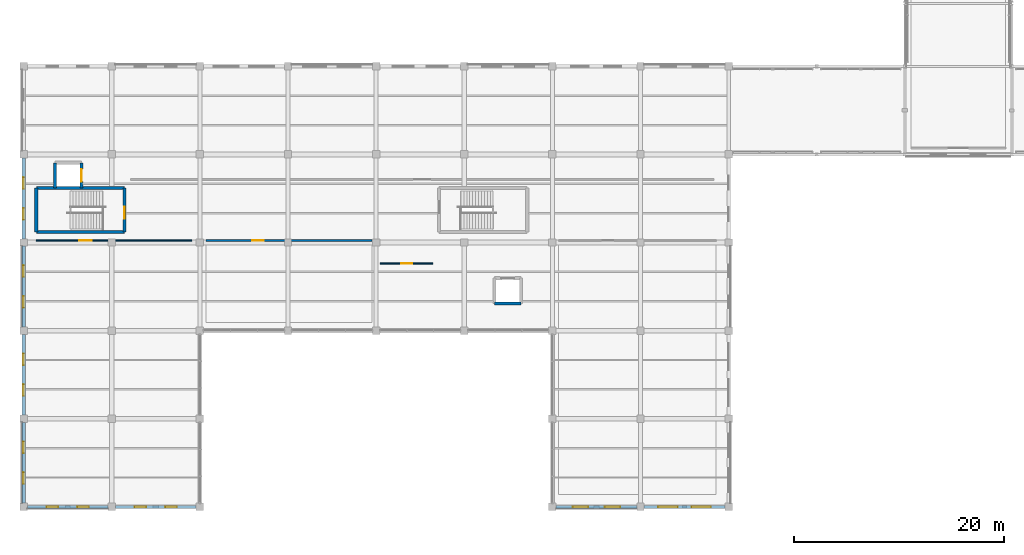
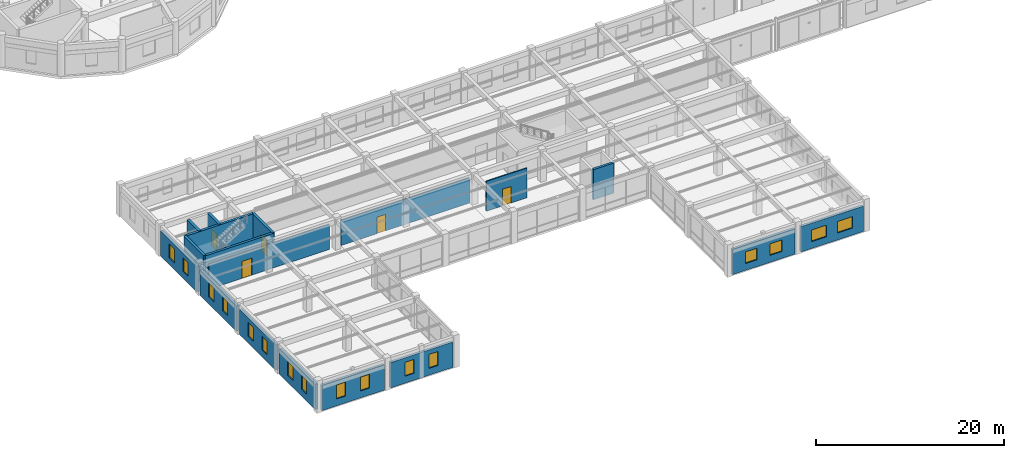
# One storey, part 118 of 152: 18 walls, 16 windows, 5 doors, 21 openings.
"""IFC4 building model written with IfcOpenShell, lengths in metres."""

from ifc_helpers import new_model, si_unit, direction, frame, frame_2d, origin, place, context, subcontext, project, spatial, rectangle, extrude, material, layer, layer_set, type_object, element, fill, save


model = new_model("IFC4")

# Units and contexts
model_context = context("Model", 3, precision=1e-05, world=origin(), true_north=direction((0.0, 1.0)))
body_context = subcontext(model_context, "Body", "Model", "MODEL_VIEW")
ifc_project = project(units=[si_unit("LENGTHUNIT", "METRE"), si_unit("AREAUNIT", "SQUARE_METRE"), si_unit("VOLUMEUNIT", "CUBIC_METRE"), si_unit("PLANEANGLEUNIT", "RADIAN"), si_unit("MASSUNIT", "GRAM", prefix="KILO"), si_unit("THERMODYNAMICTEMPERATUREUNIT", "KELVIN"), si_unit("POWERUNIT", "WATT")], contexts=[model_context])

# Site, building, storey
site_placement = place(None, origin())
site = spatial("IfcSite", under=ifc_project, at=site_placement, CompositionType="ELEMENT")
building_placement = place(site_placement, origin())
building = spatial("IfcBuilding", under=site, at=building_placement, Name="Darbajah Civic Hall", CompositionType="ELEMENT")
storey_placement = place(building_placement, frame((0.0, 0.0, 5.39990234375)))
storey = spatial("IfcBuildingStorey", under=building, at=storey_placement, Name="L01", CompositionType="ELEMENT", Elevation=5.39990234375)

# Wall
ifc_material_1 = material(Name="Concrete C45/55", Category="concrete")
ifc_layer_1 = layer(ifc_material_1, 0.300048828125, Name="Concrete C45/55")
ifc_layer_set_1 = layer_set([ifc_layer_1], Name="Concrete C45/55")
wall_type_1 = type_object("IfcWallType", Name="Core Shear Wall 300mm", PredefinedType="SHEAR", material=ifc_layer_set_1)
wall_1_placement = place(storey_placement, frame((1.199951171875, 26.199951171875, 0.0), z_axis=(0.0, 0.0, 1.0), x_axis=(1.0, 0.0, 0.0)))
element("IfcWall", 1, at=wall_1_placement, inside=storey, type_object=wall_type_1, Name="L01 core C10 shear wall S", PredefinedType="SHEAR", context=body_context, shape_type="SweptSolid", body=[
    extrude(rectangle(XDim=8.400146484375, YDim=0.300048828125, at=frame_2d((4.2001953125, 0.0))), origin(), (0.0, 0.0, 1.0), 3.920166015625),
])

# Wall, opening, door
wall_2_placement = place(storey_placement, frame((9.60009765625, 26.199951171875, 0.0), z_axis=(0.0, 0.0, 1.0), x_axis=(0.0, 1.0, 0.0)))
wall_2 = element("IfcWall", 2, at=wall_2_placement, inside=storey, type_object=wall_type_1, Name="L01 core C10 shear wall E", PredefinedType="SHEAR", context=body_context, shape_type="SweptSolid", body=[
    extrude(rectangle(XDim=4.199951171875, YDim=0.300048828125, at=frame_2d((2.10009765625, 0.0))), origin(), (0.0, 0.0, 1.0), 3.920166015625),
])
opening_1_placement = place(wall_2_placement, frame((1.25, 0.0, 0.0)))
opening_1 = element("IfcOpeningElement", 3, at=opening_1_placement, cuts=wall_2, Name="Opening SD-0110", PredefinedType="OPENING", context=body_context, shape_type="SweptSolid", body=[
    extrude(rectangle(XDim=1.14990234375, YDim=2.199951171875, at=frame_2d((0.574951171875, 1.10009765625))), frame((0.0, 0.159912109375, 0.0), z_axis=(0.0, -1.0, 0.0), x_axis=(1.0, 0.0, 0.0)), (0.0, 0.0, 1.0), 0.320068359375),
])
ifc_material_2 = material(Name="Steel Rated Core Door", Category="steel")
door_type_1 = type_object("IfcDoorType", Name="Interior Door 1150x2200", OperationType="NOTDEFINED", PredefinedType="DOOR", material=ifc_material_2)
door_1_placement = place(opening_1_placement, origin())
door_1 = element("IfcDoor", 4, at=door_1_placement, inside=storey, type_object=door_type_1, Name="L01 stair ST10 fire door SD-0110", OperationType="SINGLE_SWING_LEFT", OverallHeight=2.199951171875, OverallWidth=1.14990234375, PredefinedType="DOOR", context=body_context, shape_type="SweptSolid", body=[
    extrude(rectangle(XDim=1.14990234375, YDim=2.199951171875, at=frame_2d((0.574951171875, 1.10009765625))), frame((0.0, 0.02490234375, 0.0), z_axis=(0.0, -1.0, 0.0), x_axis=(1.0, 0.0, 0.0)), (0.0, 0.0, 1.0), 0.050048828125),
])
fill(opening_1, door_1)

# Walls
wall_3_placement = place(storey_placement, frame((9.60009765625, 30.39990234375, 0.0), z_axis=(0.0, 0.0, 1.0), x_axis=(-1.0, 0.0, 0.0)))
element("IfcWall", 5, at=wall_3_placement, inside=storey, type_object=wall_type_1, Name="L01 core C10 shear wall N", PredefinedType="SHEAR", context=body_context, shape_type="SweptSolid", body=[
    extrude(rectangle(XDim=8.400146484375, YDim=0.300048828125, at=frame_2d((4.2001953125, 0.0))), origin(), (0.0, 0.0, 1.0), 3.920166015625),
])
wall_4_placement = place(storey_placement, frame((1.199951171875, 30.39990234375, 0.0), z_axis=(0.0, 0.0, 1.0), x_axis=(0.0, -1.0, 0.0)))
element("IfcWall", 6, at=wall_4_placement, inside=storey, type_object=wall_type_1, Name="L01 core C10 shear wall W", PredefinedType="SHEAR", context=body_context, shape_type="SweptSolid", body=[
    extrude(rectangle(XDim=4.199951171875, YDim=0.300048828125, at=frame_2d((2.10009765625, 0.0))), origin(), (0.0, 0.0, 1.0), 3.920166015625),
])
wall_5_placement = place(storey_placement, frame((3.0, 32.800048828125, 0.0), z_axis=(0.0, 0.0, 1.0), x_axis=(0.0, -1.0, 0.0)))
element("IfcWall", 7, at=wall_5_placement, inside=storey, type_object=wall_type_1, Name="L01 lift PL5 shaft wall W", PredefinedType="SHEAR", context=body_context, shape_type="SweptSolid", body=[
    extrude(rectangle(XDim=2.400146484375, YDim=0.300048828125, at=frame_2d((1.2001953125, 0.0))), origin(), (0.0, 0.0, 1.0), 3.920166015625),
])

# Wall, opening, door
wall_6_placement = place(storey_placement, frame((5.5, 30.39990234375, 0.0), z_axis=(0.0, 0.0, 1.0), x_axis=(0.0, 1.0, 0.0)))
wall_6 = element("IfcWall", 8, at=wall_6_placement, inside=storey, type_object=wall_type_1, Name="L01 lift PL5 shaft wall E", PredefinedType="SHEAR", context=body_context, shape_type="SweptSolid", body=[
    extrude(rectangle(XDim=2.400146484375, YDim=0.300048828125, at=frame_2d((1.2001953125, 0.0))), origin(), (0.0, 0.0, 1.0), 3.920166015625),
])
opening_2_placement = place(wall_6_placement, frame((0.60009765625, 0.0, 0.0)))
opening_2 = element("IfcOpeningElement", 9, at=opening_2_placement, cuts=wall_6, Name="Opening LD-0116", PredefinedType="OPENING", context=body_context, shape_type="SweptSolid", body=[
    extrude(rectangle(XDim=1.199951171875, YDim=2.25, at=frame_2d((0.60009765625, 1.125))), frame((0.0, 0.159912109375, 0.0), z_axis=(0.0, -1.0, 0.0), x_axis=(1.0, 0.0, 0.0)), (0.0, 0.0, 1.0), 0.320068359375),
])
ifc_material_3 = material(Name="Stainless Lift Landing Door")
door_type_2 = type_object("IfcDoorType", Name="Lift Landing Door 1200x2250", OperationType="SLIDING_TO_LEFT", PredefinedType="DOOR", material=ifc_material_3)
door_2_placement = place(opening_2_placement, origin())
door_2 = element("IfcDoor", 10, at=door_2_placement, inside=storey, type_object=door_type_2, Name="L01 lift PL5 landing door LD-0116", OperationType="SLIDING_TO_LEFT", OverallHeight=2.25, OverallWidth=1.199951171875, PredefinedType="DOOR", context=body_context, shape_type="SweptSolid", body=[
    extrude(rectangle(XDim=1.199951171875, YDim=2.25, at=frame_2d((0.60009765625, 1.125))), frame((0.0, 0.02490234375, 0.0), z_axis=(0.0, -1.0, 0.0), x_axis=(1.0, 0.0, 0.0)), (0.0, 0.0, 1.0), 0.050048828125),
])
fill(opening_2, door_2)

# Wall
wall_7_placement = place(storey_placement, frame((44.89990234375, 19.39990234375, 0.0), z_axis=(0.0, 0.0, 1.0), x_axis=(1.0, 0.0, 0.0)))
element("IfcWall", 11, at=wall_7_placement, inside=storey, type_object=wall_type_1, Name="L01 lift PL6 shaft wall S", PredefinedType="SHEAR", context=body_context, shape_type="SweptSolid", body=[
    extrude(rectangle(XDim=2.5, YDim=0.300048828125, at=frame_2d((1.25, 0.0))), origin(), (0.0, 0.0, 1.0), 3.920166015625),
])

# Wall, openings, windows
ifc_material_4 = material(Name="Red Dholpur Sandstone Cladding", Category="masonry")
ifc_layer_2 = layer(ifc_material_4, 0.31005859375, Name="Red Dholpur Sandstone Cladding")
ifc_layer_set_2 = layer_set([ifc_layer_2], Name="Red Dholpur Sandstone Cladding")
wall_type_2 = type_object("IfcWallType", Name="Exterior Wall 310mm", PredefinedType="SOLIDWALL", material=ifc_layer_set_2)
wall_8_placement = place(storey_placement, frame((0.35205078125, 0.0, 0.0), z_axis=(0.0, 0.0, 1.0), x_axis=(1.0, 0.0, 0.0)))
wall_8 = element("IfcWall", 12, at=wall_8_placement, inside=storey, type_object=wall_type_2, Name="L01 exterior wall EW-310", PredefinedType="SOLIDWALL", context=body_context, shape_type="SweptSolid", body=[
    extrude(rectangle(XDim=7.696044921875, YDim=0.31005859375, at=frame_2d((3.84814453125, 0.0))), origin(), (0.0, 0.0, 1.0), 3.2900390625),
])
opening_3_placement = place(wall_8_placement, frame((1.83203125, 0.0, 0.89990234375)))
opening_3 = element("IfcOpeningElement", 13, at=opening_3_placement, cuts=wall_8, Name="Opening WN-17", PredefinedType="OPENING", context=body_context, shape_type="SweptSolid", body=[
    extrude(rectangle(XDim=1.10009765625, YDim=1.800048828125, at=frame_2d((0.550048828125, 0.89990234375))), frame((0.0, 0.1650390625, 0.0), z_axis=(0.0, -1.0, 0.0), x_axis=(1.0, 0.0, 0.0)), (0.0, 0.0, 1.0), 0.330078125),
])
opening_4_placement = place(wall_8_placement, frame((4.763916015625, 0.0, 0.89990234375)))
opening_4 = element("IfcOpeningElement", 14, at=opening_4_placement, cuts=wall_8, Name="Opening WN-17", PredefinedType="OPENING", context=body_context, shape_type="SweptSolid", body=[
    extrude(rectangle(XDim=1.10009765625, YDim=1.800048828125, at=frame_2d((0.550048828125, 0.89990234375))), frame((0.0, 0.1650390625, 0.0), z_axis=(0.0, -1.0, 0.0), x_axis=(1.0, 0.0, 0.0)), (0.0, 0.0, 1.0), 0.330078125),
])
ifc_material_5 = material(Name="Low-E Solar Control Double Glazing", Category="glass")
window_type_1 = type_object("IfcWindowType", Name="Facade Window 1100x1800", PartitioningType="SINGLE_PANEL", PredefinedType="WINDOW", material=ifc_material_5)
window_1_placement = place(opening_3_placement, origin())
window_1 = element("IfcWindow", 15, at=window_1_placement, inside=storey, type_object=window_type_1, Name="L01 facade window WN-17", OverallHeight=1.800048828125, OverallWidth=1.10009765625, PartitioningType="SINGLE_PANEL", PredefinedType="WINDOW", context=body_context, shape_type="SweptSolid", body=[
    extrude(rectangle(XDim=1.10009765625, YDim=1.800048828125, at=frame_2d((0.550048828125, 0.89990234375))), frame((0.0, 0.030029296875, 0.0), z_axis=(0.0, -1.0, 0.0), x_axis=(1.0, 0.0, 0.0)), (0.0, 0.0, 1.0), 0.06005859375),
])
fill(opening_3, window_1)
window_2_placement = place(opening_4_placement, origin())
window_2 = element("IfcWindow", 16, at=window_2_placement, inside=storey, type_object=window_type_1, Name="L01 facade window WN-17", OverallHeight=1.800048828125, OverallWidth=1.10009765625, PartitioningType="SINGLE_PANEL", PredefinedType="WINDOW", context=body_context, shape_type="SweptSolid", body=[
    extrude(rectangle(XDim=1.10009765625, YDim=1.800048828125, at=frame_2d((0.550048828125, 0.89990234375))), frame((0.0, 0.030029296875, 0.0), z_axis=(0.0, -1.0, 0.0), x_axis=(1.0, 0.0, 0.0)), (0.0, 0.0, 1.0), 0.06005859375),
])
fill(opening_4, window_2)

wall_9_placement = place(storey_placement, frame((8.751953125, 0.0, 0.0), z_axis=(0.0, 0.0, 1.0), x_axis=(1.0, 0.0, 0.0)))
wall_9 = element("IfcWall", 17, at=wall_9_placement, inside=storey, type_object=wall_type_2, Name="L01 exterior wall EW-310", PredefinedType="SOLIDWALL", context=body_context, shape_type="SweptSolid", body=[
    extrude(rectangle(XDim=7.696044921875, YDim=0.31005859375, at=frame_2d((3.84814453125, 0.0))), origin(), (0.0, 0.0, 1.0), 3.2900390625),
])
opening_5_placement = place(wall_9_placement, frame((1.83203125, 0.0, 0.89990234375)))
opening_5 = element("IfcOpeningElement", 18, at=opening_5_placement, cuts=wall_9, Name="Opening WN-17", PredefinedType="OPENING", context=body_context, shape_type="SweptSolid", body=[
    extrude(rectangle(XDim=1.10009765625, YDim=1.800048828125, at=frame_2d((0.550048828125, 0.89990234375))), frame((0.0, 0.1650390625, 0.0), z_axis=(0.0, -1.0, 0.0), x_axis=(1.0, 0.0, 0.0)), (0.0, 0.0, 1.0), 0.330078125),
])
opening_6_placement = place(wall_9_placement, frame((4.763916015625, 0.0, 0.89990234375)))
opening_6 = element("IfcOpeningElement", 19, at=opening_6_placement, cuts=wall_9, Name="Opening WN-17", PredefinedType="OPENING", context=body_context, shape_type="SweptSolid", body=[
    extrude(rectangle(XDim=1.10009765625, YDim=1.800048828125, at=frame_2d((0.550048828125, 0.89990234375))), frame((0.0, 0.1650390625, 0.0), z_axis=(0.0, -1.0, 0.0), x_axis=(1.0, 0.0, 0.0)), (0.0, 0.0, 1.0), 0.330078125),
])
window_3_placement = place(opening_5_placement, origin())
window_3 = element("IfcWindow", 20, at=window_3_placement, inside=storey, type_object=window_type_1, Name="L01 facade window WN-17", OverallHeight=1.800048828125, OverallWidth=1.10009765625, PartitioningType="SINGLE_PANEL", PredefinedType="WINDOW", context=body_context, shape_type="SweptSolid", body=[
    extrude(rectangle(XDim=1.10009765625, YDim=1.800048828125, at=frame_2d((0.550048828125, 0.89990234375))), frame((0.0, 0.030029296875, 0.0), z_axis=(0.0, -1.0, 0.0), x_axis=(1.0, 0.0, 0.0)), (0.0, 0.0, 1.0), 0.06005859375),
])
fill(opening_5, window_3)
window_4_placement = place(opening_6_placement, origin())
window_4 = element("IfcWindow", 21, at=window_4_placement, inside=storey, type_object=window_type_1, Name="L01 facade window WN-17", OverallHeight=1.800048828125, OverallWidth=1.10009765625, PartitioningType="SINGLE_PANEL", PredefinedType="WINDOW", context=body_context, shape_type="SweptSolid", body=[
    extrude(rectangle(XDim=1.10009765625, YDim=1.800048828125, at=frame_2d((0.550048828125, 0.89990234375))), frame((0.0, 0.030029296875, 0.0), z_axis=(0.0, -1.0, 0.0), x_axis=(1.0, 0.0, 0.0)), (0.0, 0.0, 1.0), 0.06005859375),
])
fill(opening_6, window_4)

wall_10_placement = place(storey_placement, frame((50.751953125, 0.0, 0.0), z_axis=(0.0, 0.0, 1.0), x_axis=(1.0, 0.0, 0.0)))
wall_10 = element("IfcWall", 22, at=wall_10_placement, inside=storey, type_object=wall_type_2, Name="L01 exterior wall EW-310", PredefinedType="SOLIDWALL", context=body_context, shape_type="SweptSolid", body=[
    extrude(rectangle(XDim=7.696044921875, YDim=0.31005859375, at=frame_2d((3.84814453125, 0.0))), origin(), (0.0, 0.0, 1.0), 3.2900390625),
])
opening_7_placement = place(wall_10_placement, frame((1.5986328125, 0.0, 0.89990234375)))
opening_7 = element("IfcOpeningElement", 23, at=opening_7_placement, cuts=wall_10, Name="Opening WN-25", PredefinedType="OPENING", context=body_context, shape_type="SweptSolid", body=[
    extrude(rectangle(XDim=1.449951171875, YDim=1.5, at=frame_2d((0.72509765625, 0.75))), frame((0.0, 0.1650390625, 0.0), z_axis=(0.0, -1.0, 0.0), x_axis=(1.0, 0.0, 0.0)), (0.0, 0.0, 1.0), 0.330078125),
])
opening_8_placement = place(wall_10_placement, frame((4.647216796875, 0.0, 0.89990234375)))
opening_8 = element("IfcOpeningElement", 24, at=opening_8_placement, cuts=wall_10, Name="Opening WN-25", PredefinedType="OPENING", context=body_context, shape_type="SweptSolid", body=[
    extrude(rectangle(XDim=1.449951171875, YDim=1.5, at=frame_2d((0.72509765625, 0.75))), frame((0.0, 0.1650390625, 0.0), z_axis=(0.0, -1.0, 0.0), x_axis=(1.0, 0.0, 0.0)), (0.0, 0.0, 1.0), 0.330078125),
])
window_type_2 = type_object("IfcWindowType", Name="Facade Window 1450x1500", PartitioningType="SINGLE_PANEL", PredefinedType="WINDOW", material=ifc_material_5)
window_5_placement = place(opening_7_placement, origin())
window_5 = element("IfcWindow", 25, at=window_5_placement, inside=storey, type_object=window_type_2, Name="L01 facade window WN-25", OverallHeight=1.5, OverallWidth=1.449951171875, PartitioningType="SINGLE_PANEL", PredefinedType="WINDOW", context=body_context, shape_type="SweptSolid", body=[
    extrude(rectangle(XDim=1.449951171875, YDim=1.5, at=frame_2d((0.72509765625, 0.75))), frame((0.0, 0.030029296875, 0.0), z_axis=(0.0, -1.0, 0.0), x_axis=(1.0, 0.0, 0.0)), (0.0, 0.0, 1.0), 0.06005859375),
])
fill(opening_7, window_5)
window_6_placement = place(opening_8_placement, origin())
window_6 = element("IfcWindow", 26, at=window_6_placement, inside=storey, type_object=window_type_2, Name="L01 facade window WN-25", OverallHeight=1.5, OverallWidth=1.449951171875, PartitioningType="SINGLE_PANEL", PredefinedType="WINDOW", context=body_context, shape_type="SweptSolid", body=[
    extrude(rectangle(XDim=1.449951171875, YDim=1.5, at=frame_2d((0.72509765625, 0.75))), frame((0.0, 0.030029296875, 0.0), z_axis=(0.0, -1.0, 0.0), x_axis=(1.0, 0.0, 0.0)), (0.0, 0.0, 1.0), 0.06005859375),
])
fill(opening_8, window_6)

wall_11_placement = place(storey_placement, frame((59.152099609375, 0.0, 0.0), z_axis=(0.0, 0.0, 1.0), x_axis=(1.0, 0.0, 0.0)))
wall_11 = element("IfcWall", 27, at=wall_11_placement, inside=storey, type_object=wall_type_2, Name="L01 exterior wall EW-310", PredefinedType="SOLIDWALL", context=body_context, shape_type="SweptSolid", body=[
    extrude(rectangle(XDim=7.69580078125, YDim=0.31005859375, at=frame_2d((3.847900390625, 0.0))), origin(), (0.0, 0.0, 1.0), 3.2900390625),
])
opening_9_placement = place(wall_11_placement, frame((1.33203125, 0.0, 0.89990234375)))
opening_9 = element("IfcOpeningElement", 28, at=opening_9_placement, cuts=wall_11, Name="Opening WN-26", PredefinedType="OPENING", context=body_context, shape_type="SweptSolid", body=[
    extrude(rectangle(XDim=1.85009765625, YDim=1.5, at=frame_2d((0.925048828125, 0.75))), frame((0.0, 0.1650390625, 0.0), z_axis=(0.0, -1.0, 0.0), x_axis=(1.0, 0.0, 0.0)), (0.0, 0.0, 1.0), 0.330078125),
])
opening_10_placement = place(wall_11_placement, frame((4.513916015625, 0.0, 0.89990234375)))
opening_10 = element("IfcOpeningElement", 29, at=opening_10_placement, cuts=wall_11, Name="Opening WN-26", PredefinedType="OPENING", context=body_context, shape_type="SweptSolid", body=[
    extrude(rectangle(XDim=1.85009765625, YDim=1.5, at=frame_2d((0.925048828125, 0.75))), frame((0.0, 0.1650390625, 0.0), z_axis=(0.0, -1.0, 0.0), x_axis=(1.0, 0.0, 0.0)), (0.0, 0.0, 1.0), 0.330078125),
])
window_type_3 = type_object("IfcWindowType", Name="Facade Window 1850x1500", PartitioningType="DOUBLE_PANEL_VERTICAL", PredefinedType="WINDOW", material=ifc_material_5)
window_7_placement = place(opening_9_placement, origin())
window_7 = element("IfcWindow", 30, at=window_7_placement, inside=storey, type_object=window_type_3, Name="L01 facade window WN-26", OverallHeight=1.5, OverallWidth=1.85009765625, PartitioningType="SINGLE_PANEL", PredefinedType="WINDOW", context=body_context, shape_type="SweptSolid", body=[
    extrude(rectangle(XDim=1.85009765625, YDim=1.5, at=frame_2d((0.925048828125, 0.75))), frame((0.0, 0.030029296875, 0.0), z_axis=(0.0, -1.0, 0.0), x_axis=(1.0, 0.0, 0.0)), (0.0, 0.0, 1.0), 0.06005859375),
])
fill(opening_9, window_7)
window_8_placement = place(opening_10_placement, origin())
window_8 = element("IfcWindow", 31, at=window_8_placement, inside=storey, type_object=window_type_3, Name="L01 facade window WN-26", OverallHeight=1.5, OverallWidth=1.85009765625, PartitioningType="SINGLE_PANEL", PredefinedType="WINDOW", context=body_context, shape_type="SweptSolid", body=[
    extrude(rectangle(XDim=1.85009765625, YDim=1.5, at=frame_2d((0.925048828125, 0.75))), frame((0.0, 0.030029296875, 0.0), z_axis=(0.0, -1.0, 0.0), x_axis=(1.0, 0.0, 0.0)), (0.0, 0.0, 1.0), 0.06005859375),
])
fill(opening_10, window_8)

wall_12_placement = place(storey_placement, frame((0.0, 33.248046875, 0.0), z_axis=(0.0, 0.0, 1.0), x_axis=(0.0, -1.0, 0.0)))
wall_12 = element("IfcWall", 32, at=wall_12_placement, inside=storey, type_object=wall_type_2, Name="L01 exterior wall EW-310", PredefinedType="SOLIDWALL", context=body_context, shape_type="SweptSolid", body=[
    extrude(rectangle(XDim=7.696044921875, YDim=0.31005859375, at=frame_2d((3.84814453125, 0.0))), origin(), (0.0, 0.0, 1.0), 3.2900390625),
])
opening_11_placement = place(wall_12_placement, frame((1.83203125, 0.0, 0.89990234375)))
opening_11 = element("IfcOpeningElement", 33, at=opening_11_placement, cuts=wall_12, Name="Opening WN-17", PredefinedType="OPENING", context=body_context, shape_type="SweptSolid", body=[
    extrude(rectangle(XDim=1.10009765625, YDim=1.800048828125, at=frame_2d((0.550048828125, 0.89990234375))), frame((0.0, 0.1650390625, 0.0), z_axis=(0.0, -1.0, 0.0), x_axis=(1.0, 0.0, 0.0)), (0.0, 0.0, 1.0), 0.330078125),
])
opening_12_placement = place(wall_12_placement, frame((4.763916015625, 0.0, 0.89990234375)))
opening_12 = element("IfcOpeningElement", 34, at=opening_12_placement, cuts=wall_12, Name="Opening WN-17", PredefinedType="OPENING", context=body_context, shape_type="SweptSolid", body=[
    extrude(rectangle(XDim=1.10009765625, YDim=1.800048828125, at=frame_2d((0.550048828125, 0.89990234375))), frame((0.0, 0.1650390625, 0.0), z_axis=(0.0, -1.0, 0.0), x_axis=(1.0, 0.0, 0.0)), (0.0, 0.0, 1.0), 0.330078125),
])
window_9_placement = place(opening_11_placement, origin())
window_9 = element("IfcWindow", 35, at=window_9_placement, inside=storey, type_object=window_type_1, Name="L01 facade window WN-17", OverallHeight=1.800048828125, OverallWidth=1.10009765625, PartitioningType="SINGLE_PANEL", PredefinedType="WINDOW", context=body_context, shape_type="SweptSolid", body=[
    extrude(rectangle(XDim=1.10009765625, YDim=1.800048828125, at=frame_2d((0.550048828125, 0.89990234375))), frame((0.0, 0.030029296875, 0.0), z_axis=(0.0, -1.0, 0.0), x_axis=(1.0, 0.0, 0.0)), (0.0, 0.0, 1.0), 0.06005859375),
])
fill(opening_11, window_9)
window_10_placement = place(opening_12_placement, origin())
window_10 = element("IfcWindow", 36, at=window_10_placement, inside=storey, type_object=window_type_1, Name="L01 facade window WN-17", OverallHeight=1.800048828125, OverallWidth=1.10009765625, PartitioningType="SINGLE_PANEL", PredefinedType="WINDOW", context=body_context, shape_type="SweptSolid", body=[
    extrude(rectangle(XDim=1.10009765625, YDim=1.800048828125, at=frame_2d((0.550048828125, 0.89990234375))), frame((0.0, 0.030029296875, 0.0), z_axis=(0.0, -1.0, 0.0), x_axis=(1.0, 0.0, 0.0)), (0.0, 0.0, 1.0), 0.06005859375),
])
fill(opening_12, window_10)

wall_13_placement = place(storey_placement, frame((0.0, 24.847900390625, 0.0), z_axis=(0.0, 0.0, 1.0), x_axis=(0.0, -1.0, 0.0)))
wall_13 = element("IfcWall", 37, at=wall_13_placement, inside=storey, type_object=wall_type_2, Name="L01 exterior wall EW-310", PredefinedType="SOLIDWALL", context=body_context, shape_type="SweptSolid", body=[
    extrude(rectangle(XDim=7.69580078125, YDim=0.31005859375, at=frame_2d((3.847900390625, 0.0))), origin(), (0.0, 0.0, 1.0), 3.2900390625),
])
opening_13_placement = place(wall_13_placement, frame((1.83203125, 0.0, 0.89990234375)))
opening_13 = element("IfcOpeningElement", 38, at=opening_13_placement, cuts=wall_13, Name="Opening WN-17", PredefinedType="OPENING", context=body_context, shape_type="SweptSolid", body=[
    extrude(rectangle(XDim=1.10009765625, YDim=1.800048828125, at=frame_2d((0.550048828125, 0.89990234375))), frame((0.0, 0.1650390625, 0.0), z_axis=(0.0, -1.0, 0.0), x_axis=(1.0, 0.0, 0.0)), (0.0, 0.0, 1.0), 0.330078125),
])
opening_14_placement = place(wall_13_placement, frame((4.763916015625, 0.0, 0.89990234375)))
opening_14 = element("IfcOpeningElement", 39, at=opening_14_placement, cuts=wall_13, Name="Opening WN-17", PredefinedType="OPENING", context=body_context, shape_type="SweptSolid", body=[
    extrude(rectangle(XDim=1.10009765625, YDim=1.800048828125, at=frame_2d((0.550048828125, 0.89990234375))), frame((0.0, 0.1650390625, 0.0), z_axis=(0.0, -1.0, 0.0), x_axis=(1.0, 0.0, 0.0)), (0.0, 0.0, 1.0), 0.330078125),
])
window_11_placement = place(opening_13_placement, origin())
window_11 = element("IfcWindow", 40, at=window_11_placement, inside=storey, type_object=window_type_1, Name="L01 facade window WN-17", OverallHeight=1.800048828125, OverallWidth=1.10009765625, PartitioningType="SINGLE_PANEL", PredefinedType="WINDOW", context=body_context, shape_type="SweptSolid", body=[
    extrude(rectangle(XDim=1.10009765625, YDim=1.800048828125, at=frame_2d((0.550048828125, 0.89990234375))), frame((0.0, 0.030029296875, 0.0), z_axis=(0.0, -1.0, 0.0), x_axis=(1.0, 0.0, 0.0)), (0.0, 0.0, 1.0), 0.06005859375),
])
fill(opening_13, window_11)
window_12_placement = place(opening_14_placement, origin())
window_12 = element("IfcWindow", 41, at=window_12_placement, inside=storey, type_object=window_type_1, Name="L01 facade window WN-17", OverallHeight=1.800048828125, OverallWidth=1.10009765625, PartitioningType="SINGLE_PANEL", PredefinedType="WINDOW", context=body_context, shape_type="SweptSolid", body=[
    extrude(rectangle(XDim=1.10009765625, YDim=1.800048828125, at=frame_2d((0.550048828125, 0.89990234375))), frame((0.0, 0.030029296875, 0.0), z_axis=(0.0, -1.0, 0.0), x_axis=(1.0, 0.0, 0.0)), (0.0, 0.0, 1.0), 0.06005859375),
])
fill(opening_14, window_12)

wall_14_placement = place(storey_placement, frame((0.0, 16.447998046875, 0.0), z_axis=(0.0, 0.0, 1.0), x_axis=(0.0, -1.0, 0.0)))
wall_14 = element("IfcWall", 42, at=wall_14_placement, inside=storey, type_object=wall_type_2, Name="L01 exterior wall EW-310", PredefinedType="SOLIDWALL", context=body_context, shape_type="SweptSolid", body=[
    extrude(rectangle(XDim=7.696044921875, YDim=0.31005859375, at=frame_2d((3.84814453125, 0.0))), origin(), (0.0, 0.0, 1.0), 3.2900390625),
])
opening_15_placement = place(wall_14_placement, frame((1.83203125, 0.0, 0.89990234375)))
opening_15 = element("IfcOpeningElement", 43, at=opening_15_placement, cuts=wall_14, Name="Opening WN-17", PredefinedType="OPENING", context=body_context, shape_type="SweptSolid", body=[
    extrude(rectangle(XDim=1.10009765625, YDim=1.800048828125, at=frame_2d((0.550048828125, 0.89990234375))), frame((0.0, 0.1650390625, 0.0), z_axis=(0.0, -1.0, 0.0), x_axis=(1.0, 0.0, 0.0)), (0.0, 0.0, 1.0), 0.330078125),
])
opening_16_placement = place(wall_14_placement, frame((4.763916015625, 0.0, 0.89990234375)))
opening_16 = element("IfcOpeningElement", 44, at=opening_16_placement, cuts=wall_14, Name="Opening WN-17", PredefinedType="OPENING", context=body_context, shape_type="SweptSolid", body=[
    extrude(rectangle(XDim=1.10009765625, YDim=1.800048828125, at=frame_2d((0.550048828125, 0.89990234375))), frame((0.0, 0.1650390625, 0.0), z_axis=(0.0, -1.0, 0.0), x_axis=(1.0, 0.0, 0.0)), (0.0, 0.0, 1.0), 0.330078125),
])
window_13_placement = place(opening_15_placement, origin())
window_13 = element("IfcWindow", 45, at=window_13_placement, inside=storey, type_object=window_type_1, Name="L01 facade window WN-17", OverallHeight=1.800048828125, OverallWidth=1.10009765625, PartitioningType="SINGLE_PANEL", PredefinedType="WINDOW", context=body_context, shape_type="SweptSolid", body=[
    extrude(rectangle(XDim=1.10009765625, YDim=1.800048828125, at=frame_2d((0.550048828125, 0.89990234375))), frame((0.0, 0.030029296875, 0.0), z_axis=(0.0, -1.0, 0.0), x_axis=(1.0, 0.0, 0.0)), (0.0, 0.0, 1.0), 0.06005859375),
])
fill(opening_15, window_13)
window_14_placement = place(opening_16_placement, origin())
window_14 = element("IfcWindow", 46, at=window_14_placement, inside=storey, type_object=window_type_1, Name="L01 facade window WN-17", OverallHeight=1.800048828125, OverallWidth=1.10009765625, PartitioningType="SINGLE_PANEL", PredefinedType="WINDOW", context=body_context, shape_type="SweptSolid", body=[
    extrude(rectangle(XDim=1.10009765625, YDim=1.800048828125, at=frame_2d((0.550048828125, 0.89990234375))), frame((0.0, 0.030029296875, 0.0), z_axis=(0.0, -1.0, 0.0), x_axis=(1.0, 0.0, 0.0)), (0.0, 0.0, 1.0), 0.06005859375),
])
fill(opening_16, window_14)

wall_15_placement = place(storey_placement, frame((0.0, 8.048095703125, 0.0), z_axis=(0.0, 0.0, 1.0), x_axis=(0.0, -1.0, 0.0)))
wall_15 = element("IfcWall", 47, at=wall_15_placement, inside=storey, type_object=wall_type_2, Name="L01 exterior wall EW-310", PredefinedType="SOLIDWALL", context=body_context, shape_type="SweptSolid", body=[
    extrude(rectangle(XDim=7.696044921875, YDim=0.31005859375, at=frame_2d((3.84814453125, 0.0))), origin(), (0.0, 0.0, 1.0), 3.2900390625),
])
opening_17_placement = place(wall_15_placement, frame((1.83203125, 0.0, 0.89990234375)))
opening_17 = element("IfcOpeningElement", 48, at=opening_17_placement, cuts=wall_15, Name="Opening WN-17", PredefinedType="OPENING", context=body_context, shape_type="SweptSolid", body=[
    extrude(rectangle(XDim=1.10009765625, YDim=1.800048828125, at=frame_2d((0.550048828125, 0.89990234375))), frame((0.0, 0.1650390625, 0.0), z_axis=(0.0, -1.0, 0.0), x_axis=(1.0, 0.0, 0.0)), (0.0, 0.0, 1.0), 0.330078125),
])
opening_18_placement = place(wall_15_placement, frame((4.763916015625, 0.0, 0.89990234375)))
opening_18 = element("IfcOpeningElement", 49, at=opening_18_placement, cuts=wall_15, Name="Opening WN-17", PredefinedType="OPENING", context=body_context, shape_type="SweptSolid", body=[
    extrude(rectangle(XDim=1.10009765625, YDim=1.800048828125, at=frame_2d((0.550048828125, 0.89990234375))), frame((0.0, 0.1650390625, 0.0), z_axis=(0.0, -1.0, 0.0), x_axis=(1.0, 0.0, 0.0)), (0.0, 0.0, 1.0), 0.330078125),
])
window_15_placement = place(opening_17_placement, origin())
window_15 = element("IfcWindow", 50, at=window_15_placement, inside=storey, type_object=window_type_1, Name="L01 facade window WN-17", OverallHeight=1.800048828125, OverallWidth=1.10009765625, PartitioningType="SINGLE_PANEL", PredefinedType="WINDOW", context=body_context, shape_type="SweptSolid", body=[
    extrude(rectangle(XDim=1.10009765625, YDim=1.800048828125, at=frame_2d((0.550048828125, 0.89990234375))), frame((0.0, 0.030029296875, 0.0), z_axis=(0.0, -1.0, 0.0), x_axis=(1.0, 0.0, 0.0)), (0.0, 0.0, 1.0), 0.06005859375),
])
fill(opening_17, window_15)
window_16_placement = place(opening_18_placement, origin())
window_16 = element("IfcWindow", 51, at=window_16_placement, inside=storey, type_object=window_type_1, Name="L01 facade window WN-17", OverallHeight=1.800048828125, OverallWidth=1.10009765625, PartitioningType="SINGLE_PANEL", PredefinedType="WINDOW", context=body_context, shape_type="SweptSolid", body=[
    extrude(rectangle(XDim=1.10009765625, YDim=1.800048828125, at=frame_2d((0.550048828125, 0.89990234375))), frame((0.0, 0.030029296875, 0.0), z_axis=(0.0, -1.0, 0.0), x_axis=(1.0, 0.0, 0.0)), (0.0, 0.0, 1.0), 0.06005859375),
])
fill(opening_18, window_16)

# Wall, opening, door
ifc_material_6 = material(Name="Acoustic Gypsum Partition")
ifc_layer_3 = layer(ifc_material_6, 0.114990234375, Name="Acoustic Gypsum Partition")
ifc_layer_set_3 = layer_set([ifc_layer_3], Name="Acoustic Gypsum Partition")
wall_type_3 = type_object("IfcWallType", Name="Interior Partition 115mm", PredefinedType="PARTITIONING", material=ifc_layer_set_3)
wall_16_placement = place(storey_placement, frame((1.199951171875, 25.39990234375, 0.0), z_axis=(0.0, 0.0, 1.0), x_axis=(1.0, 0.0, 0.0)))
wall_16 = element("IfcWall", 52, at=wall_16_placement, inside=storey, type_object=wall_type_3, Name="L01 interior partition L01-V5-01", PredefinedType="PARTITIONING", context=body_context, shape_type="SweptSolid", body=[
    extrude(rectangle(XDim=14.800048828125, YDim=0.114990234375, at=frame_2d((7.39990234375, 0.0))), origin(), (0.0, 0.0, 1.0), 3.2900390625),
])
opening_19_placement = place(wall_16_placement, frame((4.080078125, 0.0, 0.0)))
opening_19 = element("IfcOpeningElement", 53, at=opening_19_placement, cuts=wall_16, Name="Opening D-0190", PredefinedType="OPENING", context=body_context, shape_type="SweptSolid", body=[
    extrude(rectangle(XDim=1.199951171875, YDim=2.199951171875, at=frame_2d((0.60009765625, 1.10009765625))), frame((0.0, 0.0673828125, 0.0), z_axis=(0.0, -1.0, 0.0), x_axis=(1.0, 0.0, 0.0)), (0.0, 0.0, 1.0), 0.135009765625),
])
ifc_material_7 = material(Name="Painted Hardwood Fire Door", Category="wood")
door_type_3 = type_object("IfcDoorType", Name="Interior Door 1200x2200", OperationType="NOTDEFINED", PredefinedType="DOOR", material=ifc_material_7)
door_3_placement = place(opening_19_placement, origin())
door_3 = element("IfcDoor", 54, at=door_3_placement, inside=storey, type_object=door_type_3, Name="L01 L01-V5-01 door D-0190", OperationType="SINGLE_SWING_LEFT", OverallHeight=2.199951171875, OverallWidth=1.199951171875, PredefinedType="DOOR", context=body_context, shape_type="SweptSolid", body=[
    extrude(rectangle(XDim=1.199951171875, YDim=2.199951171875, at=frame_2d((0.60009765625, 1.10009765625))), frame((0.0, 0.02490234375, 0.0), z_axis=(0.0, -1.0, 0.0), x_axis=(1.0, 0.0, 0.0)), (0.0, 0.0, 1.0), 0.050048828125),
])
fill(opening_19, door_3)

ifc_material_8 = material(Name="Gypsum Plasterboard on Steel Stud", Category="steel")
ifc_layer_4 = layer(ifc_material_8, 0.135009765625, Name="Gypsum Plasterboard on Steel Stud")
ifc_layer_set_4 = layer_set([ifc_layer_4], Name="Gypsum Plasterboard on Steel Stud")
wall_type_4 = type_object("IfcWallType", Name="Interior Partition 135mm", PredefinedType="PARTITIONING", material=ifc_layer_set_4)
wall_17_placement = place(storey_placement, frame((34.0, 23.199951171875, 0.0), z_axis=(0.0, 0.0, 1.0), x_axis=(1.0, 0.0, 0.0)))
wall_17 = element("IfcWall", 55, at=wall_17_placement, inside=storey, type_object=wall_type_4, Name="L01 interior partition L01-V5-03", PredefinedType="PARTITIONING", context=body_context, shape_type="SweptSolid", body=[
    extrude(rectangle(XDim=5.0, YDim=0.135009765625, at=frame_2d((2.5, 0.0))), origin(), (0.0, 0.0, 1.0), 3.860107421875),
])
opening_20_placement = place(wall_17_placement, frame((1.97509765625, 0.0, 0.0)))
opening_20 = element("IfcOpeningElement", 56, at=opening_20_placement, cuts=wall_17, Name="Opening D-0192", PredefinedType="OPENING", context=body_context, shape_type="SweptSolid", body=[
    extrude(rectangle(XDim=1.050048828125, YDim=2.14990234375, at=frame_2d((0.52490234375, 1.074951171875))), frame((0.0, 0.077392578125, 0.0), z_axis=(0.0, -1.0, 0.0), x_axis=(1.0, 0.0, 0.0)), (0.0, 0.0, 1.0), 0.155029296875),
])
ifc_material_9 = material(Name="Acoustic Oak Office Door")
door_type_4 = type_object("IfcDoorType", Name="Interior Door 1050x2150", OperationType="NOTDEFINED", PredefinedType="DOOR", material=ifc_material_9)
door_4_placement = place(opening_20_placement, origin())
door_4 = element("IfcDoor", 57, at=door_4_placement, inside=storey, type_object=door_type_4, Name="L01 L01-V5-03 door D-0192", OperationType="SINGLE_SWING_LEFT", OverallHeight=2.14990234375, OverallWidth=1.050048828125, PredefinedType="DOOR", context=body_context, shape_type="SweptSolid", body=[
    extrude(rectangle(XDim=1.050048828125, YDim=2.14990234375, at=frame_2d((0.52490234375, 1.074951171875))), frame((0.0, 0.02490234375, 0.0), z_axis=(0.0, -1.0, 0.0), x_axis=(1.0, 0.0, 0.0)), (0.0, 0.0, 1.0), 0.050048828125),
])
fill(opening_20, door_4)

ifc_layer_5 = layer(ifc_material_8, 0.159912109375, Name="Gypsum Plasterboard on Steel Stud")
ifc_layer_set_5 = layer_set([ifc_layer_5], Name="Gypsum Plasterboard on Steel Stud")
wall_type_5 = type_object("IfcWallType", Name="Interior Partition 160mm", PredefinedType="PARTITIONING", material=ifc_layer_set_5)
wall_18_placement = place(storey_placement, frame((17.39990234375, 25.39990234375, 0.0), z_axis=(0.0, 0.0, 1.0), x_axis=(1.0, 0.0, 0.0)))
wall_18 = element("IfcWall", 58, at=wall_18_placement, inside=storey, type_object=wall_type_5, Name="L01 interior partition L01-V5-02", PredefinedType="PARTITIONING", context=body_context, shape_type="SweptSolid", body=[
    extrude(rectangle(XDim=15.800048828125, YDim=0.159912109375, at=frame_2d((7.89990234375, 0.0))), origin(), (0.0, 0.0, 1.0), 3.2900390625),
])
opening_21_placement = place(wall_18_placement, frame((4.409912109375, 0.0, 0.0)))
opening_21 = element("IfcOpeningElement", 59, at=opening_21_placement, cuts=wall_18, Name="Opening D-0191", PredefinedType="OPENING", context=body_context, shape_type="SweptSolid", body=[
    extrude(rectangle(XDim=1.10009765625, YDim=2.14990234375, at=frame_2d((0.550048828125, 1.074951171875))), frame((0.0, 0.08984375, 0.0), z_axis=(0.0, -1.0, 0.0), x_axis=(1.0, 0.0, 0.0)), (0.0, 0.0, 1.0), 0.179931640625),
])
door_type_5 = type_object("IfcDoorType", Name="Interior Door 1100x2150", OperationType="NOTDEFINED", PredefinedType="DOOR", material=ifc_material_9)
door_5_placement = place(opening_21_placement, origin())
door_5 = element("IfcDoor", 60, at=door_5_placement, inside=storey, type_object=door_type_5, Name="L01 L01-V5-02 door D-0191", OperationType="SINGLE_SWING_RIGHT", OverallHeight=2.14990234375, OverallWidth=1.10009765625, PredefinedType="DOOR", context=body_context, shape_type="SweptSolid", body=[
    extrude(rectangle(XDim=1.10009765625, YDim=2.14990234375, at=frame_2d((0.550048828125, 1.074951171875))), frame((0.0, 0.02490234375, 0.0), z_axis=(0.0, -1.0, 0.0), x_axis=(1.0, 0.0, 0.0)), (0.0, 0.0, 1.0), 0.050048828125),
])
fill(opening_21, door_5)

save(model, "model.ifc")
